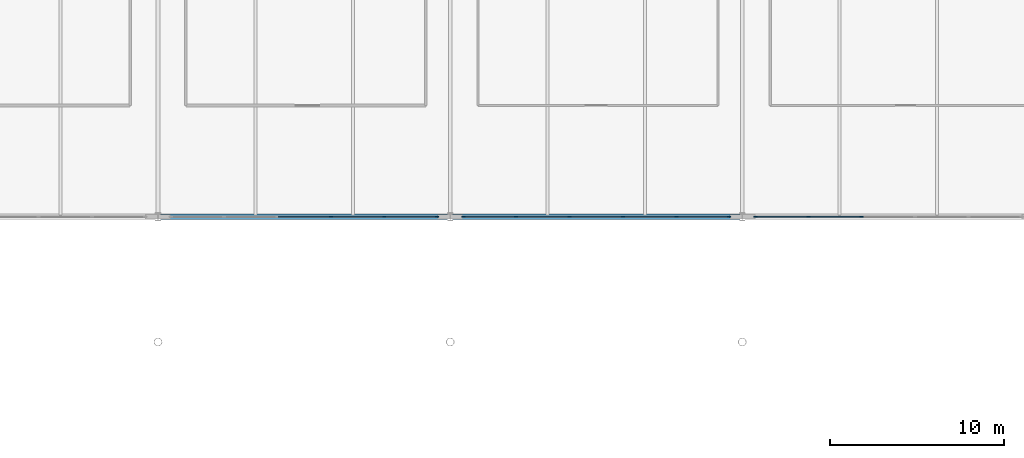
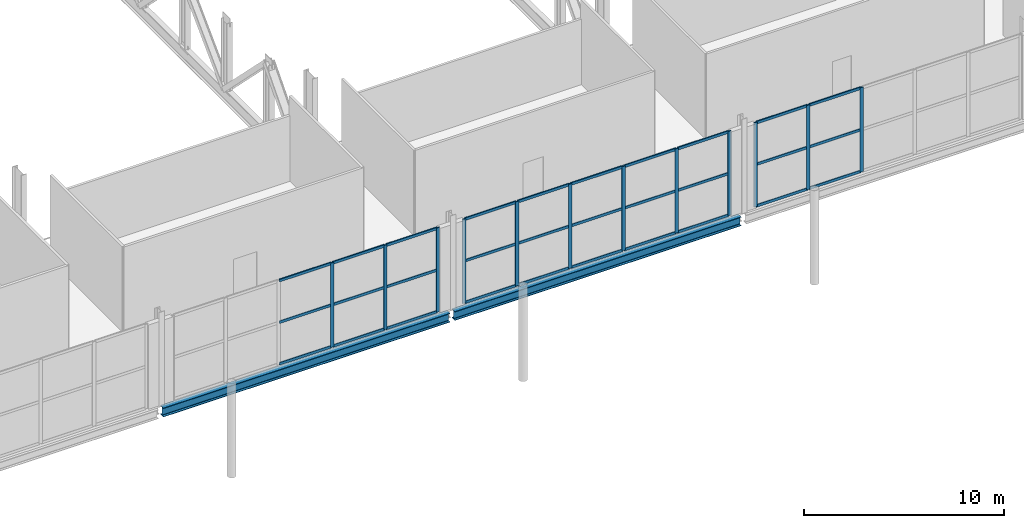
# One storey, part 22 of 84: 42 members, 2 beams, 3 elements without a shape of their own.
"""IFC4 building model written with IfcOpenShell, lengths in metres."""

from ifc_helpers import new_model, si_unit, direction, frame, origin, origin_2d, place, context, subcontext, project, spatial, rectangle, i_section, extrude, material, material_profile, profile_set, type_object, element, aggregate, save


model = new_model("IFC4")

# Units and contexts
model_context = context("Model", 3, precision=1e-05, world=origin(), true_north=direction((0.0, 1.0)))
body_context = subcontext(model_context, "Body", "Model", "MODEL_VIEW")
ifc_project = project(units=[si_unit("LENGTHUNIT", "METRE"), si_unit("AREAUNIT", "SQUARE_METRE"), si_unit("VOLUMEUNIT", "CUBIC_METRE"), si_unit("PLANEANGLEUNIT", "RADIAN"), si_unit("MASSUNIT", "GRAM", prefix="KILO")], contexts=[model_context])

# Site, building, storey
site_placement = place(None, origin())
site = spatial("IfcSite", under=ifc_project, at=site_placement, CompositionType="ELEMENT")
building_placement = place(site_placement, origin())
building = spatial("IfcBuilding", under=site, at=building_placement, Name="Kimbaza Rail Terminus", CompositionType="ELEMENT")
storey_placement = place(building_placement, frame((0.0, 0.0, 5.39990234375)))
storey = spatial("IfcBuildingStorey", under=building, at=storey_placement, Name="L01", CompositionType="ELEMENT", Elevation=5.39990234375)

# Curtain wall, members
ifc_material_1 = material(Name="Anodised aluminium framing and solar low-E glazing", Category="aluminium")
curtain_wall_type = type_object("IfcCurtainWallType", Name="ARC-CW-CN1", PredefinedType="USERDEFINED", material=ifc_material_1)
curtain_wall_1_placement = place(storey_placement, origin())
curtain_wall_1 = element("IfcCurtainWall", 1, at=curtain_wall_1_placement, inside=storey, type_object=curtain_wall_type, Name="South Concourse Upper Glazing L01 Bay 3", ObjectType="UNITISED CURTAIN WALL", PredefinedType="USERDEFINED")
ifc_material_2 = material(Name="Anodised architectural aluminium", Category="aluminium")
ifc_material_profile_1 = material_profile(ifc_material_2, rectangle(XDim=0.070068359375, YDim=0.199951171875, at=origin_2d()), Name="MULLION 70x200")
ifc_profile_set_1 = profile_set([ifc_material_profile_1], Name="Anodised architectural aluminium")
member_type_1 = type_object("IfcMemberType", Name="ARC-CWM-02", PredefinedType="MULLION", material=ifc_profile_set_1)
member_1_placement = place(storey_placement, frame((98.736083984375, 41.0, 0.0), z_axis=(0.0, 0.0, 1.0), x_axis=(0.0, 1.0, 0.0)))
member_1 = element("IfcMember", 2, at=member_1_placement, type_object=member_type_1, Name="CW-02 mullion 4", PredefinedType="MULLION", context=body_context, shape_type="SweptSolid", body=[
    extrude(rectangle(XDim=0.070068359375, YDim=0.199951171875, at=origin_2d()), origin(), (0.0, 0.0, 1.0), 5.14013671875),
])
member_2_placement = place(storey_placement, frame((101.80810546875, 41.0, 0.0), z_axis=(0.0, 0.0, 1.0), x_axis=(0.0, 1.0, 0.0)))
member_2 = element("IfcMember", 3, at=member_2_placement, type_object=member_type_1, Name="CW-02 mullion 5", PredefinedType="MULLION", context=body_context, shape_type="SweptSolid", body=[
    extrude(rectangle(XDim=0.070068359375, YDim=0.199951171875, at=origin_2d()), origin(), (0.0, 0.0, 1.0), 5.14013671875),
])
member_3_placement = place(storey_placement, frame((104.844970703125, 41.0, 0.0), z_axis=(0.0, 0.0, 1.0), x_axis=(0.0, 1.0, 0.0)))
member_3 = element("IfcMember", 4, at=member_3_placement, type_object=member_type_1, Name="CW-02 mullion 6", PredefinedType="MULLION", context=body_context, shape_type="SweptSolid", body=[
    extrude(rectangle(XDim=0.070068359375, YDim=0.199951171875, at=origin_2d()), origin(), (0.0, 0.0, 1.0), 5.14013671875),
])

curtain_wall_2_placement = place(storey_placement, origin())
curtain_wall_2 = element("IfcCurtainWall", 5, at=curtain_wall_2_placement, inside=storey, type_object=curtain_wall_type, Name="South Concourse Upper Glazing L01 Bay 4", ObjectType="UNITISED CURTAIN WALL", PredefinedType="USERDEFINED")
member_4_placement = place(storey_placement, frame((106.35498046875, 41.0, 0.0), z_axis=(0.0, 0.0, 1.0), x_axis=(0.0, 1.0, 0.0)))
member_4 = element("IfcMember", 6, at=member_4_placement, type_object=member_type_1, Name="CW-02 mullion 1", PredefinedType="MULLION", context=body_context, shape_type="SweptSolid", body=[
    extrude(rectangle(XDim=0.070068359375, YDim=0.199951171875, at=origin_2d()), origin(), (0.0, 0.0, 1.0), 5.14013671875),
])
member_5_placement = place(storey_placement, frame((109.39208984375, 41.0, 0.0), z_axis=(0.0, 0.0, 1.0), x_axis=(0.0, 1.0, 0.0)))
member_5 = element("IfcMember", 7, at=member_5_placement, type_object=member_type_1, Name="CW-02 mullion 2", PredefinedType="MULLION", context=body_context, shape_type="SweptSolid", body=[
    extrude(rectangle(XDim=0.070068359375, YDim=0.199951171875, at=origin_2d()), origin(), (0.0, 0.0, 1.0), 5.14013671875),
])
member_6_placement = place(storey_placement, frame((112.464111328125, 41.0, 0.0), z_axis=(0.0, 0.0, 1.0), x_axis=(0.0, 1.0, 0.0)))
member_6 = element("IfcMember", 8, at=member_6_placement, type_object=member_type_1, Name="CW-02 mullion 3", PredefinedType="MULLION", context=body_context, shape_type="SweptSolid", body=[
    extrude(rectangle(XDim=0.070068359375, YDim=0.199951171875, at=origin_2d()), origin(), (0.0, 0.0, 1.0), 5.14013671875),
])
member_7_placement = place(storey_placement, frame((115.535888671875, 41.0, 0.0), z_axis=(0.0, 0.0, 1.0), x_axis=(0.0, 1.0, 0.0)))
member_7 = element("IfcMember", 9, at=member_7_placement, type_object=member_type_1, Name="CW-02 mullion 4", PredefinedType="MULLION", context=body_context, shape_type="SweptSolid", body=[
    extrude(rectangle(XDim=0.070068359375, YDim=0.199951171875, at=origin_2d()), origin(), (0.0, 0.0, 1.0), 5.14013671875),
])
member_8_placement = place(storey_placement, frame((118.60791015625, 41.0, 0.0), z_axis=(0.0, 0.0, 1.0), x_axis=(0.0, 1.0, 0.0)))
member_8 = element("IfcMember", 10, at=member_8_placement, type_object=member_type_1, Name="CW-02 mullion 5", PredefinedType="MULLION", context=body_context, shape_type="SweptSolid", body=[
    extrude(rectangle(XDim=0.070068359375, YDim=0.199951171875, at=origin_2d()), origin(), (0.0, 0.0, 1.0), 5.14013671875),
])
member_9_placement = place(storey_placement, frame((121.64501953125, 41.0, 0.0), z_axis=(0.0, 0.0, 1.0), x_axis=(0.0, 1.0, 0.0)))
member_9 = element("IfcMember", 11, at=member_9_placement, type_object=member_type_1, Name="CW-02 mullion 6", PredefinedType="MULLION", context=body_context, shape_type="SweptSolid", body=[
    extrude(rectangle(XDim=0.070068359375, YDim=0.199951171875, at=origin_2d()), origin(), (0.0, 0.0, 1.0), 5.14013671875),
])

curtain_wall_3_placement = place(storey_placement, origin())
curtain_wall_3 = element("IfcCurtainWall", 12, at=curtain_wall_3_placement, inside=storey, type_object=curtain_wall_type, Name="South Concourse Upper Glazing L01 Bay 5", ObjectType="UNITISED CURTAIN WALL", PredefinedType="USERDEFINED")
member_10_placement = place(storey_placement, frame((123.155029296875, 41.0, 0.0), z_axis=(0.0, 0.0, 1.0), x_axis=(0.0, 1.0, 0.0)))
member_10 = element("IfcMember", 13, at=member_10_placement, type_object=member_type_1, Name="CW-02 mullion 1", PredefinedType="MULLION", context=body_context, shape_type="SweptSolid", body=[
    extrude(rectangle(XDim=0.070068359375, YDim=0.199951171875, at=origin_2d()), origin(), (0.0, 0.0, 1.0), 5.14013671875),
])
member_11_placement = place(storey_placement, frame((126.19189453125, 41.0, 0.0), z_axis=(0.0, 0.0, 1.0), x_axis=(0.0, 1.0, 0.0)))
member_11 = element("IfcMember", 14, at=member_11_placement, type_object=member_type_1, Name="CW-02 mullion 2", PredefinedType="MULLION", context=body_context, shape_type="SweptSolid", body=[
    extrude(rectangle(XDim=0.070068359375, YDim=0.199951171875, at=origin_2d()), origin(), (0.0, 0.0, 1.0), 5.14013671875),
])
member_12_placement = place(storey_placement, frame((129.263916015625, 41.0, 0.0), z_axis=(0.0, 0.0, 1.0), x_axis=(0.0, 1.0, 0.0)))
member_12 = element("IfcMember", 15, at=member_12_placement, type_object=member_type_1, Name="CW-02 mullion 3", PredefinedType="MULLION", context=body_context, shape_type="SweptSolid", body=[
    extrude(rectangle(XDim=0.070068359375, YDim=0.199951171875, at=origin_2d()), origin(), (0.0, 0.0, 1.0), 5.14013671875),
])

# Member
ifc_material_3 = material(Name="Anodised architectural aluminium", Category="aluminium")
ifc_material_profile_2 = material_profile(ifc_material_3, rectangle(XDim=0.070068359375, YDim=0.159912109375, at=origin_2d()), Name="TRANSOM 70x160")
ifc_profile_set_2 = profile_set([ifc_material_profile_2], Name="Anodised architectural aluminium")
member_type_2 = type_object("IfcMemberType", Name="ARC-CWT-02", PredefinedType="USERDEFINED", material=ifc_profile_set_2)
member_13_placement = place(storey_placement, frame((95.698974609375, 41.0, 0.03515625), z_axis=(1.0, 0.0, 0.0), x_axis=(0.0, 1.0, 0.0)))
member_13 = element("IfcMember", 16, at=member_13_placement, type_object=member_type_2, Name="CW-02 transom 3.1", ObjectType="TRANSOM", PredefinedType="USERDEFINED", context=body_context, shape_type="SweptSolid", body=[
    extrude(rectangle(XDim=0.070068359375, YDim=0.159912109375, at=origin_2d()), origin(), (0.0, 0.0, 1.0), 3.001953125),
])

member_14_placement = place(storey_placement, frame((95.698974609375, 41.0, 2.570068359375), z_axis=(1.0, 0.0, 0.0), x_axis=(0.0, 1.0, 0.0)))
member_14 = element("IfcMember", 17, at=member_14_placement, type_object=member_type_2, Name="CW-02 transom 3.2", ObjectType="TRANSOM", PredefinedType="USERDEFINED", context=body_context, shape_type="SweptSolid", body=[
    extrude(rectangle(XDim=0.070068359375, YDim=0.159912109375, at=origin_2d()), origin(), (0.0, 0.0, 1.0), 3.001953125),
])

member_15_placement = place(storey_placement, frame((95.698974609375, 41.0, 5.10498046875), z_axis=(1.0, 0.0, 0.0), x_axis=(0.0, 1.0, 0.0)))
member_15 = element("IfcMember", 18, at=member_15_placement, type_object=member_type_2, Name="CW-02 transom 3.3", ObjectType="TRANSOM", PredefinedType="USERDEFINED", context=body_context, shape_type="SweptSolid", body=[
    extrude(rectangle(XDim=0.070068359375, YDim=0.159912109375, at=origin_2d()), origin(), (0.0, 0.0, 1.0), 3.001953125),
])

member_16_placement = place(storey_placement, frame((98.77099609375, 41.0, 0.03515625), z_axis=(1.0, 0.0, 0.0), x_axis=(0.0, 1.0, 0.0)))
member_16 = element("IfcMember", 19, at=member_16_placement, type_object=member_type_2, Name="CW-02 transom 4.1", ObjectType="TRANSOM", PredefinedType="USERDEFINED", context=body_context, shape_type="SweptSolid", body=[
    extrude(rectangle(XDim=0.070068359375, YDim=0.159912109375, at=origin_2d()), origin(), (0.0, 0.0, 1.0), 3.001953125),
])

member_17_placement = place(storey_placement, frame((98.77099609375, 41.0, 2.570068359375), z_axis=(1.0, 0.0, 0.0), x_axis=(0.0, 1.0, 0.0)))
member_17 = element("IfcMember", 20, at=member_17_placement, type_object=member_type_2, Name="CW-02 transom 4.2", ObjectType="TRANSOM", PredefinedType="USERDEFINED", context=body_context, shape_type="SweptSolid", body=[
    extrude(rectangle(XDim=0.070068359375, YDim=0.159912109375, at=origin_2d()), origin(), (0.0, 0.0, 1.0), 3.001953125),
])

member_18_placement = place(storey_placement, frame((98.77099609375, 41.0, 5.10498046875), z_axis=(1.0, 0.0, 0.0), x_axis=(0.0, 1.0, 0.0)))
member_18 = element("IfcMember", 21, at=member_18_placement, type_object=member_type_2, Name="CW-02 transom 4.3", ObjectType="TRANSOM", PredefinedType="USERDEFINED", context=body_context, shape_type="SweptSolid", body=[
    extrude(rectangle(XDim=0.070068359375, YDim=0.159912109375, at=origin_2d()), origin(), (0.0, 0.0, 1.0), 3.001953125),
])

member_19_placement = place(storey_placement, frame((101.843017578125, 41.0, 0.03515625), z_axis=(1.0, 0.0, 0.0), x_axis=(0.0, 1.0, 0.0)))
member_19 = element("IfcMember", 22, at=member_19_placement, type_object=member_type_2, Name="CW-02 transom 5.1", ObjectType="TRANSOM", PredefinedType="USERDEFINED", context=body_context, shape_type="SweptSolid", body=[
    extrude(rectangle(XDim=0.070068359375, YDim=0.159912109375, at=origin_2d()), origin(), (0.0, 0.0, 1.0), 2.967041015625),
])

member_20_placement = place(storey_placement, frame((101.843017578125, 41.0, 2.570068359375), z_axis=(1.0, 0.0, 0.0), x_axis=(0.0, 1.0, 0.0)))
member_20 = element("IfcMember", 23, at=member_20_placement, type_object=member_type_2, Name="CW-02 transom 5.2", ObjectType="TRANSOM", PredefinedType="USERDEFINED", context=body_context, shape_type="SweptSolid", body=[
    extrude(rectangle(XDim=0.070068359375, YDim=0.159912109375, at=origin_2d()), origin(), (0.0, 0.0, 1.0), 2.967041015625),
])

member_21_placement = place(storey_placement, frame((101.843017578125, 41.0, 5.10498046875), z_axis=(1.0, 0.0, 0.0), x_axis=(0.0, 1.0, 0.0)))
member_21 = element("IfcMember", 24, at=member_21_placement, type_object=member_type_2, Name="CW-02 transom 5.3", ObjectType="TRANSOM", PredefinedType="USERDEFINED", context=body_context, shape_type="SweptSolid", body=[
    extrude(rectangle(XDim=0.070068359375, YDim=0.159912109375, at=origin_2d()), origin(), (0.0, 0.0, 1.0), 2.967041015625),
])

aggregate(curtain_wall_1, [member_1, member_2, member_3, member_13, member_14, member_15, member_16, member_17, member_18, member_19, member_20, member_21])

member_22_placement = place(storey_placement, frame((106.389892578125, 41.0, 0.03515625), z_axis=(1.0, 0.0, 0.0), x_axis=(0.0, 1.0, 0.0)))
member_22 = element("IfcMember", 25, at=member_22_placement, type_object=member_type_2, Name="CW-02 transom 1.1", ObjectType="TRANSOM", PredefinedType="USERDEFINED", context=body_context, shape_type="SweptSolid", body=[
    extrude(rectangle(XDim=0.070068359375, YDim=0.159912109375, at=origin_2d()), origin(), (0.0, 0.0, 1.0), 2.967041015625),
])

member_23_placement = place(storey_placement, frame((106.389892578125, 41.0, 2.570068359375), z_axis=(1.0, 0.0, 0.0), x_axis=(0.0, 1.0, 0.0)))
member_23 = element("IfcMember", 26, at=member_23_placement, type_object=member_type_2, Name="CW-02 transom 1.2", ObjectType="TRANSOM", PredefinedType="USERDEFINED", context=body_context, shape_type="SweptSolid", body=[
    extrude(rectangle(XDim=0.070068359375, YDim=0.159912109375, at=origin_2d()), origin(), (0.0, 0.0, 1.0), 2.967041015625),
])

member_24_placement = place(storey_placement, frame((106.389892578125, 41.0, 5.10498046875), z_axis=(1.0, 0.0, 0.0), x_axis=(0.0, 1.0, 0.0)))
member_24 = element("IfcMember", 27, at=member_24_placement, type_object=member_type_2, Name="CW-02 transom 1.3", ObjectType="TRANSOM", PredefinedType="USERDEFINED", context=body_context, shape_type="SweptSolid", body=[
    extrude(rectangle(XDim=0.070068359375, YDim=0.159912109375, at=origin_2d()), origin(), (0.0, 0.0, 1.0), 2.967041015625),
])

member_25_placement = place(storey_placement, frame((109.427001953125, 41.0, 0.03515625), z_axis=(1.0, 0.0, 0.0), x_axis=(0.0, 1.0, 0.0)))
member_25 = element("IfcMember", 28, at=member_25_placement, type_object=member_type_2, Name="CW-02 transom 2.1", ObjectType="TRANSOM", PredefinedType="USERDEFINED", context=body_context, shape_type="SweptSolid", body=[
    extrude(rectangle(XDim=0.070068359375, YDim=0.159912109375, at=origin_2d()), origin(), (0.0, 0.0, 1.0), 3.001953125),
])

member_26_placement = place(storey_placement, frame((109.427001953125, 41.0, 2.570068359375), z_axis=(1.0, 0.0, 0.0), x_axis=(0.0, 1.0, 0.0)))
member_26 = element("IfcMember", 29, at=member_26_placement, type_object=member_type_2, Name="CW-02 transom 2.2", ObjectType="TRANSOM", PredefinedType="USERDEFINED", context=body_context, shape_type="SweptSolid", body=[
    extrude(rectangle(XDim=0.070068359375, YDim=0.159912109375, at=origin_2d()), origin(), (0.0, 0.0, 1.0), 3.001953125),
])

member_27_placement = place(storey_placement, frame((109.427001953125, 41.0, 5.10498046875), z_axis=(1.0, 0.0, 0.0), x_axis=(0.0, 1.0, 0.0)))
member_27 = element("IfcMember", 30, at=member_27_placement, type_object=member_type_2, Name="CW-02 transom 2.3", ObjectType="TRANSOM", PredefinedType="USERDEFINED", context=body_context, shape_type="SweptSolid", body=[
    extrude(rectangle(XDim=0.070068359375, YDim=0.159912109375, at=origin_2d()), origin(), (0.0, 0.0, 1.0), 3.001953125),
])

member_28_placement = place(storey_placement, frame((112.4990234375, 41.0, 0.03515625), z_axis=(1.0, 0.0, 0.0), x_axis=(0.0, 1.0, 0.0)))
member_28 = element("IfcMember", 31, at=member_28_placement, type_object=member_type_2, Name="CW-02 transom 3.1", ObjectType="TRANSOM", PredefinedType="USERDEFINED", context=body_context, shape_type="SweptSolid", body=[
    extrude(rectangle(XDim=0.070068359375, YDim=0.159912109375, at=origin_2d()), origin(), (0.0, 0.0, 1.0), 3.001953125),
])

member_29_placement = place(storey_placement, frame((112.4990234375, 41.0, 2.570068359375), z_axis=(1.0, 0.0, 0.0), x_axis=(0.0, 1.0, 0.0)))
member_29 = element("IfcMember", 32, at=member_29_placement, type_object=member_type_2, Name="CW-02 transom 3.2", ObjectType="TRANSOM", PredefinedType="USERDEFINED", context=body_context, shape_type="SweptSolid", body=[
    extrude(rectangle(XDim=0.070068359375, YDim=0.159912109375, at=origin_2d()), origin(), (0.0, 0.0, 1.0), 3.001953125),
])

member_30_placement = place(storey_placement, frame((112.4990234375, 41.0, 5.10498046875), z_axis=(1.0, 0.0, 0.0), x_axis=(0.0, 1.0, 0.0)))
member_30 = element("IfcMember", 33, at=member_30_placement, type_object=member_type_2, Name="CW-02 transom 3.3", ObjectType="TRANSOM", PredefinedType="USERDEFINED", context=body_context, shape_type="SweptSolid", body=[
    extrude(rectangle(XDim=0.070068359375, YDim=0.159912109375, at=origin_2d()), origin(), (0.0, 0.0, 1.0), 3.001953125),
])

member_31_placement = place(storey_placement, frame((115.571044921875, 41.0, 0.03515625), z_axis=(1.0, 0.0, 0.0), x_axis=(0.0, 1.0, 0.0)))
member_31 = element("IfcMember", 34, at=member_31_placement, type_object=member_type_2, Name="CW-02 transom 4.1", ObjectType="TRANSOM", PredefinedType="USERDEFINED", context=body_context, shape_type="SweptSolid", body=[
    extrude(rectangle(XDim=0.070068359375, YDim=0.159912109375, at=origin_2d()), origin(), (0.0, 0.0, 1.0), 3.001953125),
])

member_32_placement = place(storey_placement, frame((115.571044921875, 41.0, 2.570068359375), z_axis=(1.0, 0.0, 0.0), x_axis=(0.0, 1.0, 0.0)))
member_32 = element("IfcMember", 35, at=member_32_placement, type_object=member_type_2, Name="CW-02 transom 4.2", ObjectType="TRANSOM", PredefinedType="USERDEFINED", context=body_context, shape_type="SweptSolid", body=[
    extrude(rectangle(XDim=0.070068359375, YDim=0.159912109375, at=origin_2d()), origin(), (0.0, 0.0, 1.0), 3.001953125),
])

member_33_placement = place(storey_placement, frame((115.571044921875, 41.0, 5.10498046875), z_axis=(1.0, 0.0, 0.0), x_axis=(0.0, 1.0, 0.0)))
member_33 = element("IfcMember", 36, at=member_33_placement, type_object=member_type_2, Name="CW-02 transom 4.3", ObjectType="TRANSOM", PredefinedType="USERDEFINED", context=body_context, shape_type="SweptSolid", body=[
    extrude(rectangle(XDim=0.070068359375, YDim=0.159912109375, at=origin_2d()), origin(), (0.0, 0.0, 1.0), 3.001953125),
])

member_34_placement = place(storey_placement, frame((118.64306640625, 41.0, 0.03515625), z_axis=(1.0, 0.0, 0.0), x_axis=(0.0, 1.0, 0.0)))
member_34 = element("IfcMember", 37, at=member_34_placement, type_object=member_type_2, Name="CW-02 transom 5.1", ObjectType="TRANSOM", PredefinedType="USERDEFINED", context=body_context, shape_type="SweptSolid", body=[
    extrude(rectangle(XDim=0.070068359375, YDim=0.159912109375, at=origin_2d()), origin(), (0.0, 0.0, 1.0), 2.967041015625),
])

member_35_placement = place(storey_placement, frame((118.64306640625, 41.0, 2.570068359375), z_axis=(1.0, 0.0, 0.0), x_axis=(0.0, 1.0, 0.0)))
member_35 = element("IfcMember", 38, at=member_35_placement, type_object=member_type_2, Name="CW-02 transom 5.2", ObjectType="TRANSOM", PredefinedType="USERDEFINED", context=body_context, shape_type="SweptSolid", body=[
    extrude(rectangle(XDim=0.070068359375, YDim=0.159912109375, at=origin_2d()), origin(), (0.0, 0.0, 1.0), 2.967041015625),
])

member_36_placement = place(storey_placement, frame((118.64306640625, 41.0, 5.10498046875), z_axis=(1.0, 0.0, 0.0), x_axis=(0.0, 1.0, 0.0)))
member_36 = element("IfcMember", 39, at=member_36_placement, type_object=member_type_2, Name="CW-02 transom 5.3", ObjectType="TRANSOM", PredefinedType="USERDEFINED", context=body_context, shape_type="SweptSolid", body=[
    extrude(rectangle(XDim=0.070068359375, YDim=0.159912109375, at=origin_2d()), origin(), (0.0, 0.0, 1.0), 2.967041015625),
])

aggregate(curtain_wall_2, [member_4, member_5, member_6, member_7, member_8, member_9, member_22, member_23, member_24, member_25, member_26, member_27, member_28, member_29, member_30, member_31, member_32, member_33, member_34, member_35, member_36])

member_37_placement = place(storey_placement, frame((123.18994140625, 41.0, 0.03515625), z_axis=(1.0, 0.0, 0.0), x_axis=(0.0, 1.0, 0.0)))
member_37 = element("IfcMember", 40, at=member_37_placement, type_object=member_type_2, Name="CW-02 transom 1.1", ObjectType="TRANSOM", PredefinedType="USERDEFINED", context=body_context, shape_type="SweptSolid", body=[
    extrude(rectangle(XDim=0.070068359375, YDim=0.159912109375, at=origin_2d()), origin(), (0.0, 0.0, 1.0), 2.967041015625),
])

member_38_placement = place(storey_placement, frame((123.18994140625, 41.0, 2.570068359375), z_axis=(1.0, 0.0, 0.0), x_axis=(0.0, 1.0, 0.0)))
member_38 = element("IfcMember", 41, at=member_38_placement, type_object=member_type_2, Name="CW-02 transom 1.2", ObjectType="TRANSOM", PredefinedType="USERDEFINED", context=body_context, shape_type="SweptSolid", body=[
    extrude(rectangle(XDim=0.070068359375, YDim=0.159912109375, at=origin_2d()), origin(), (0.0, 0.0, 1.0), 2.967041015625),
])

member_39_placement = place(storey_placement, frame((123.18994140625, 41.0, 5.10498046875), z_axis=(1.0, 0.0, 0.0), x_axis=(0.0, 1.0, 0.0)))
member_39 = element("IfcMember", 42, at=member_39_placement, type_object=member_type_2, Name="CW-02 transom 1.3", ObjectType="TRANSOM", PredefinedType="USERDEFINED", context=body_context, shape_type="SweptSolid", body=[
    extrude(rectangle(XDim=0.070068359375, YDim=0.159912109375, at=origin_2d()), origin(), (0.0, 0.0, 1.0), 2.967041015625),
])

member_40_placement = place(storey_placement, frame((126.22705078125, 41.0, 0.03515625), z_axis=(1.0, 0.0, 0.0), x_axis=(0.0, 1.0, 0.0)))
member_40 = element("IfcMember", 43, at=member_40_placement, type_object=member_type_2, Name="CW-02 transom 2.1", ObjectType="TRANSOM", PredefinedType="USERDEFINED", context=body_context, shape_type="SweptSolid", body=[
    extrude(rectangle(XDim=0.070068359375, YDim=0.159912109375, at=origin_2d()), origin(), (0.0, 0.0, 1.0), 3.001953125),
])

member_41_placement = place(storey_placement, frame((126.22705078125, 41.0, 2.570068359375), z_axis=(1.0, 0.0, 0.0), x_axis=(0.0, 1.0, 0.0)))
member_41 = element("IfcMember", 44, at=member_41_placement, type_object=member_type_2, Name="CW-02 transom 2.2", ObjectType="TRANSOM", PredefinedType="USERDEFINED", context=body_context, shape_type="SweptSolid", body=[
    extrude(rectangle(XDim=0.070068359375, YDim=0.159912109375, at=origin_2d()), origin(), (0.0, 0.0, 1.0), 3.001953125),
])

member_42_placement = place(storey_placement, frame((126.22705078125, 41.0, 5.10498046875), z_axis=(1.0, 0.0, 0.0), x_axis=(0.0, 1.0, 0.0)))
member_42 = element("IfcMember", 45, at=member_42_placement, type_object=member_type_2, Name="CW-02 transom 2.3", ObjectType="TRANSOM", PredefinedType="USERDEFINED", context=body_context, shape_type="SweptSolid", body=[
    extrude(rectangle(XDim=0.070068359375, YDim=0.159912109375, at=origin_2d()), origin(), (0.0, 0.0, 1.0), 3.001953125),
])

aggregate(curtain_wall_3, [member_10, member_11, member_12, member_37, member_38, member_39, member_40, member_41, member_42])

# Beams
ifc_material_4 = material(Name="Steel S355", Category="steel")
ifc_material_profile_3 = material_profile(ifc_material_4, i_section(OverallWidth=0.300048828125, OverallDepth=0.550048828125, WebThickness=0.014892578125, FlangeThickness=0.029052734375, FilletRadius=0.027099609375, at=origin_2d()), Name="HEB 550")
ifc_profile_set_3 = profile_set([ifc_material_profile_3], Name="Steel S355")
beam_type = type_object("IfcBeamType", Name="STR-BM-HEB550", PredefinedType="BEAM", material=ifc_profile_set_3)
beam_1_placement = place(storey_placement, frame((88.946044921875, 41.0, -0.494873046875), z_axis=(1.0, 0.0, 0.0), x_axis=(0.0, 1.0, 0.0)))
element("IfcBeam", 46, at=beam_1_placement, inside=storey, type_object=beam_type, Name="Beam BM-V2X-L01-41-2", PredefinedType="BEAM", context=body_context, shape_type="SweptSolid", body=[
    extrude(i_section(OverallWidth=0.300048828125, OverallDepth=0.550048828125, WebThickness=0.014892578125, FlangeThickness=0.029052734375, FilletRadius=0.027099609375, at=origin_2d()), origin(), (0.0, 0.0, 1.0), 16.508056640625),
])
beam_2_placement = place(storey_placement, frame((105.74609375, 41.0, -0.494873046875), z_axis=(1.0, 0.0, 0.0), x_axis=(0.0, 1.0, 0.0)))
element("IfcBeam", 47, at=beam_2_placement, inside=storey, type_object=beam_type, Name="Beam BM-V2X-L01-41-3", PredefinedType="BEAM", context=body_context, shape_type="SweptSolid", body=[
    extrude(i_section(OverallWidth=0.300048828125, OverallDepth=0.550048828125, WebThickness=0.014892578125, FlangeThickness=0.029052734375, FilletRadius=0.027099609375, at=origin_2d()), origin(), (0.0, 0.0, 1.0), 16.5078125),
])

save(model, "model.ifc")
